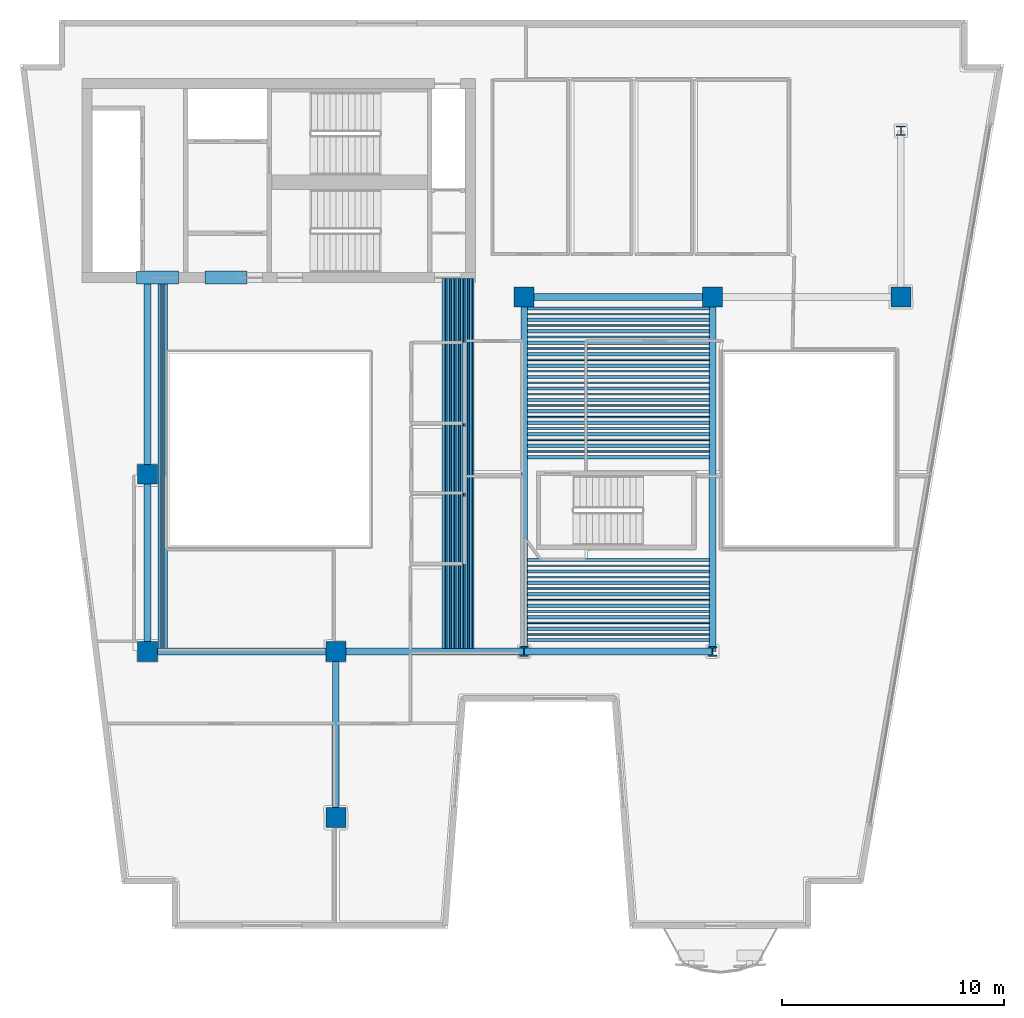
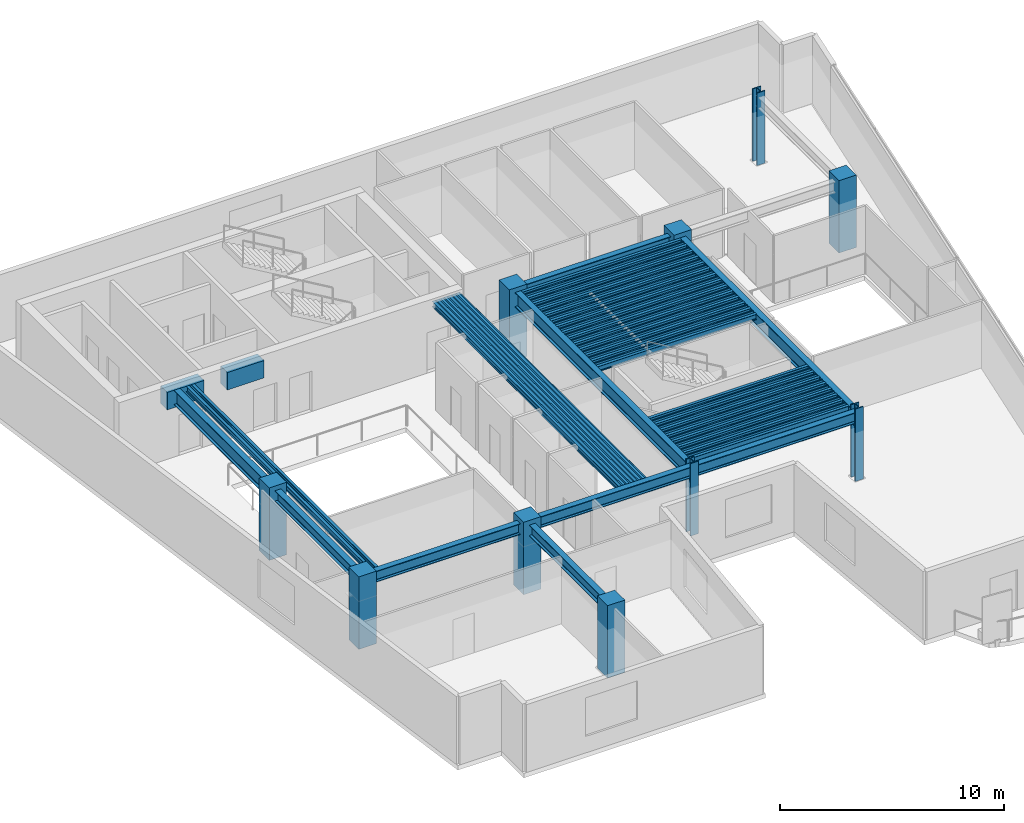
# One storey, part 1 of 10: 70 beams, 10 columns.
"""IFC4 building model written with IfcOpenShell, lengths in metres."""

from ifc_helpers import new_model, si_unit, direction, frame, origin, origin_2d, place, context, subcontext, project, spatial, rectangle, hollow_rectangle, i_section, extrude, material, material_profile, profile_set, type_object, element, save


model = new_model("IFC4")

# Units and contexts
model_context = context("Model", 3, precision=1e-05, world=origin(), true_north=direction((0.0, 1.0)))
body_context = subcontext(model_context, "Body", "Model", "MODEL_VIEW")
ifc_project = project(units=[si_unit("LENGTHUNIT", "METRE"), si_unit("AREAUNIT", "SQUARE_METRE"), si_unit("VOLUMEUNIT", "CUBIC_METRE"), si_unit("PLANEANGLEUNIT", "RADIAN"), si_unit("MASSUNIT", "GRAM", prefix="KILO")], contexts=[model_context])

# Site, building, storey
site_placement = place(None, origin())
site = spatial("IfcSite", under=ifc_project, at=site_placement, CompositionType="ELEMENT")
building_placement = place(site_placement, origin())
building = spatial("IfcBuilding", under=site, at=building_placement, Name="Caeloran Harvest Quay", CompositionType="ELEMENT")
storey_placement = place(building_placement, frame((0.0, 0.0, 187.699951171875)))
storey = spatial("IfcBuildingStorey", under=building, at=storey_placement, Name="L44", CompositionType="ELEMENT", Elevation=187.699951171875)

# Columns
ifc_material_1 = material(Name="Concrete C60/75", Category="concrete")
ifc_material_profile_1 = material_profile(ifc_material_1, rectangle(XDim=0.89990234375, YDim=0.89990234375, at=origin_2d()), Name="RC 900x900")
ifc_profile_set_1 = profile_set([ifc_material_profile_1], Name="Concrete C60/75")
column_type_1 = type_object("IfcColumnType", Name="COL-MC-4-RC_900x900", PredefinedType="COLUMN", material=ifc_profile_set_1)
for number, where, z_axis, x_axis, name in (
    (1, (8.5, 15.0, 0.0), (0.0, 0.0, 1.0), (1.0, 0.0, 0.0), "L44 Structural Column (8.5, 15.0)"),
    (2, (8.5, 23.0, 0.0), (0.0, 0.0, 1.0), (1.0, 0.0, 0.0), "L44 Structural Column (8.5, 23.0)"),
    (3, (17.0, 7.5, 0.0), (0.0, 0.0, 1.0), (1.0, 0.0, 0.0), "L44 Structural Column (17.0, 7.5)"),
    (4, (17.0, 15.0, 0.0), (0.0, 0.0, 1.0), (1.0, 0.0, 0.0), "L44 Structural Column (17.0, 15.0)"),
    (5, (25.5, 31.0, 0.0), (0.0, 0.0, 1.0), (1.0, 0.0, 0.0), "L44 Structural Column (25.5, 31.0)"),
    (6, (34.0, 31.0, 0.0), (0.0, 0.0, 1.0), (1.0, 0.0, 0.0), "L44 Structural Column (34.0, 31.0)"),
    (7, (42.5, 31.0, 0.0), (0.0, 0.0, 1.0), (1.0, 0.0, 0.0), "L44 Structural Column (42.5, 31.0)"),
):
    element("IfcColumn", number, at=place(storey_placement, frame(where, z_axis=z_axis, x_axis=x_axis)), inside=storey, type_object=column_type_1, Name=name, PredefinedType="COLUMN", context=body_context, shape_type="SweptSolid", body=[
        extrude(rectangle(XDim=0.89990234375, YDim=0.89990234375, at=origin_2d()), origin(), (0.0, 0.0, 1.0), 3.949951171875),
    ])
ifc_material_2 = material(Name="Steel HISTAR 460", Category="steel")
ifc_material_profile_2 = material_profile(ifc_material_2, i_section(OverallWidth=0.416015625, OverallDepth=0.446044921875, WebThickness=0.0390625, FlangeThickness=0.062744140625, FilletRadius=0.014892578125, at=origin_2d()), Name="HD 400x509")
ifc_profile_set_2 = profile_set([ifc_material_profile_2], Name="Steel HISTAR 460")
column_type_2 = type_object("IfcColumnType", Name="COL-SC-4-HD_400x509", PredefinedType="COLUMN", material=ifc_profile_set_2)
for number, where, z_axis, x_axis, name in (
    (8, (25.5, 15.0, 0.0), (0.0, 0.0, 1.0), (1.0, 0.0, 0.0), "L44 Structural Column (25.5, 15.0)"),
    (9, (34.0, 15.0, 0.0), (0.0, 0.0, 1.0), (1.0, 0.0, 0.0), "L44 Structural Column (34.0, 15.0)"),
    (10, (42.5, 38.5, 0.0), (0.0, 0.0, 1.0), (1.0, 0.0, 0.0), "L44 Structural Column (42.5, 38.5)"),
):
    element("IfcColumn", number, at=place(storey_placement, frame(where, z_axis=z_axis, x_axis=x_axis)), inside=storey, type_object=column_type_2, Name=name, PredefinedType="COLUMN", context=body_context, shape_type="SweptSolid", body=[
        extrude(i_section(OverallWidth=0.416015625, OverallDepth=0.446044921875, WebThickness=0.0390625, FlangeThickness=0.062744140625, FilletRadius=0.014892578125, at=origin_2d()), origin(), (0.0, 0.0, 1.0), 3.949951171875),
    ])

# Beams
ifc_material_profile_3 = material_profile(ifc_material_1, rectangle(XDim=0.60009765625, YDim=0.949951171875, at=origin_2d()), Name="RC 600x950")
ifc_profile_set_3 = profile_set([ifc_material_profile_3], Name="Concrete C60/75")
beam_type_1 = type_object("IfcBeamType", Name="BM-CB-2-RC_600x950", PredefinedType="LINTEL", material=ifc_profile_set_3)
for number, where, z_axis, x_axis, name in (
    (11, (8.0, 31.875, 3.22509765625), (1.0, 0.0, 0.0), (0.0, 1.0, 0.0), "L44 Core Coupling Beam 1"),
    (12, (11.10009765625, 31.875, 3.22509765625), (1.0, 0.0, 0.0), (0.0, 1.0, 0.0), "L44 Core Coupling Beam 2"),
):
    element("IfcBeam", number, at=place(storey_placement, frame(where, z_axis=z_axis, x_axis=x_axis)), inside=storey, type_object=beam_type_1, Name=name, PredefinedType="LINTEL", context=body_context, shape_type="SweptSolid", body=[
        extrude(rectangle(XDim=0.60009765625, YDim=0.949951171875, at=origin_2d()), origin(), (0.0, 0.0, 1.0), 1.89990234375),
    ])
ifc_material_3 = material(Name="Steel S355J2", Category="steel")
ifc_material_profile_4 = material_profile(ifc_material_3, i_section(OverallWidth=0.300048828125, OverallDepth=0.800048828125, WebThickness=0.017578125, FlangeThickness=0.032958984375, FilletRadius=0.030029296875, at=origin_2d()), Name="HE 800 B")
ifc_profile_set_4 = profile_set([ifc_material_profile_4], Name="Steel S355J2")
beam_type_2 = type_object("IfcBeamType", Name="BM-PG-1-HE_800_B", PredefinedType="BEAM", material=ifc_profile_set_4)
beam_1_placement = place(storey_placement, frame((8.5, 23.0, 3.300048828125), z_axis=(0.0, 1.0, 0.0), x_axis=(-1.0, 0.0, 0.0)))
element("IfcBeam", 13, at=beam_1_placement, inside=storey, type_object=beam_type_2, Name="L44 Core South Tie Girder X=8.5", PredefinedType="BEAM", context=body_context, shape_type="SweptSolid", body=[
    extrude(i_section(OverallWidth=0.300048828125, OverallDepth=0.800048828125, WebThickness=0.017578125, FlangeThickness=0.032958984375, FilletRadius=0.030029296875, at=origin_2d()), origin(), (0.0, 0.0, 1.0), 8.824951171875),
])
for number, where, z_axis, x_axis, name in (
    (14, (25.5, 15.0, 3.300048828125), (0.0, 1.0, 0.0), (-1.0, 0.0, 0.0), "L44 Primary North-South Girder X=25.5"),
    (15, (34.0, 15.0, 3.300048828125), (0.0, 1.0, 0.0), (-1.0, 0.0, 0.0), "L44 Primary North-South Girder X=34.0"),
):
    element("IfcBeam", number, at=place(storey_placement, frame(where, z_axis=z_axis, x_axis=x_axis)), inside=storey, type_object=beam_type_2, Name=name, PredefinedType="BEAM", context=body_context, shape_type="SweptSolid", body=[
        extrude(i_section(OverallWidth=0.300048828125, OverallDepth=0.800048828125, WebThickness=0.017578125, FlangeThickness=0.032958984375, FilletRadius=0.030029296875, at=origin_2d()), origin(), (0.0, 0.0, 1.0), 16.0),
    ])
ifc_material_profile_5 = material_profile(ifc_material_3, i_section(OverallWidth=0.300048828125, OverallDepth=0.60009765625, WebThickness=0.015380859375, FlangeThickness=0.030029296875, FilletRadius=0.027099609375, at=origin_2d()), Name="HE 600 B")
ifc_profile_set_5 = profile_set([ifc_material_profile_5], Name="Steel S355J2")
beam_type_3 = type_object("IfcBeamType", Name="BM-PG-3-HE_600_B", PredefinedType="BEAM", material=ifc_profile_set_5)
for number, where, z_axis, x_axis, name in (
    (16, (8.5, 15.0, 3.400146484375), (1.0, 0.0, 0.0), (0.0, 1.0, 0.0), "L44 Primary East-West Girder Y=15.0"),
    (17, (17.0, 15.0, 3.400146484375), (1.0, 0.0, 0.0), (0.0, 1.0, 0.0), "L44 Primary East-West Girder Y=15.0"),
    (18, (25.5, 15.0, 3.400146484375), (1.0, 0.0, 0.0), (0.0, 1.0, 0.0), "L44 Primary East-West Girder Y=15.0"),
    (19, (25.5, 31.0, 3.400146484375), (1.0, 0.0, 0.0), (0.0, 1.0, 0.0), "L44 Primary East-West Girder Y=31.0"),
):
    element("IfcBeam", number, at=place(storey_placement, frame(where, z_axis=z_axis, x_axis=x_axis)), inside=storey, type_object=beam_type_3, Name=name, PredefinedType="BEAM", context=body_context, shape_type="SweptSolid", body=[
        extrude(i_section(OverallWidth=0.300048828125, OverallDepth=0.60009765625, WebThickness=0.015380859375, FlangeThickness=0.030029296875, FilletRadius=0.027099609375, at=origin_2d()), origin(), (0.0, 0.0, 1.0), 8.5),
    ])
beam_2_placement = place(storey_placement, frame((8.5, 15.0, 3.400146484375), z_axis=(0.0, 1.0, 0.0), x_axis=(-1.0, 0.0, 0.0)))
element("IfcBeam", 20, at=beam_2_placement, inside=storey, type_object=beam_type_3, Name="L44 Primary North-South Girder X=8.5", PredefinedType="BEAM", context=body_context, shape_type="SweptSolid", body=[
    extrude(i_section(OverallWidth=0.300048828125, OverallDepth=0.60009765625, WebThickness=0.015380859375, FlangeThickness=0.030029296875, FilletRadius=0.027099609375, at=origin_2d()), origin(), (0.0, 0.0, 1.0), 8.0),
])
beam_3_placement = place(storey_placement, frame((17.0, 7.5, 3.400146484375), z_axis=(0.0, 1.0, 0.0), x_axis=(-1.0, 0.0, 0.0)))
element("IfcBeam", 21, at=beam_3_placement, inside=storey, type_object=beam_type_3, Name="L44 Primary North-South Girder X=17.0", PredefinedType="BEAM", context=body_context, shape_type="SweptSolid", body=[
    extrude(i_section(OverallWidth=0.300048828125, OverallDepth=0.60009765625, WebThickness=0.015380859375, FlangeThickness=0.030029296875, FilletRadius=0.027099609375, at=origin_2d()), origin(), (0.0, 0.0, 1.0), 7.5),
])
ifc_material_profile_6 = material_profile(ifc_material_3, i_section(OverallWidth=0.14990234375, OverallDepth=0.300048828125, WebThickness=0.007080078125, FlangeThickness=0.0107421875, FilletRadius=0.014892578125, at=origin_2d()), Name="IPE 300")
ifc_profile_set_6 = profile_set([ifc_material_profile_6], Name="Steel S355J2")
beam_type_4 = type_object("IfcBeamType", Name="BM-SB-6-IPE_300", PredefinedType="JOIST", material=ifc_profile_set_6)
for number, where, z_axis, x_axis, name in (
    (22, (9.04833984375, 15.14501953125, 3.550048828125), (0.0, 1.0, 0.0), (-1.0, 0.0, 0.0), "L44 Secondary Composite Joist"),
    (23, (9.322509765625, 15.14501953125, 3.550048828125), (0.0, 1.0, 0.0), (-1.0, 0.0, 0.0), "L44 Secondary Composite Joist"),
    (24, (21.87744140625, 15.14501953125, 3.550048828125), (0.0, 1.0, 0.0), (-1.0, 0.0, 0.0), "L44 Secondary Composite Joist"),
    (25, (22.08056640625, 15.14501953125, 3.550048828125), (0.0, 1.0, 0.0), (-1.0, 0.0, 0.0), "L44 Secondary Composite Joist"),
    (26, (22.283935546875, 15.14501953125, 3.550048828125), (0.0, 1.0, 0.0), (-1.0, 0.0, 0.0), "L44 Secondary Composite Joist"),
    (27, (22.487060546875, 15.14501953125, 3.550048828125), (0.0, 1.0, 0.0), (-1.0, 0.0, 0.0), "L44 Secondary Composite Joist"),
    (28, (22.690185546875, 15.14501953125, 3.550048828125), (0.0, 1.0, 0.0), (-1.0, 0.0, 0.0), "L44 Secondary Composite Joist"),
    (29, (22.8935546875, 15.14501953125, 3.550048828125), (0.0, 1.0, 0.0), (-1.0, 0.0, 0.0), "L44 Secondary Composite Joist"),
    (30, (23.0966796875, 15.14501953125, 3.550048828125), (0.0, 1.0, 0.0), (-1.0, 0.0, 0.0), "L44 Secondary Composite Joist"),
):
    element("IfcBeam", number, at=place(storey_placement, frame(where, z_axis=z_axis, x_axis=x_axis)), inside=storey, type_object=beam_type_4, Name=name, PredefinedType="JOIST", context=body_context, shape_type="SweptSolid", body=[
        extrude(i_section(OverallWidth=0.14990234375, OverallDepth=0.300048828125, WebThickness=0.007080078125, FlangeThickness=0.0107421875, FilletRadius=0.014892578125, at=origin_2d()), origin(), (0.0, 0.0, 1.0), 16.679931640625),
    ])
for number, where, z_axis, x_axis, name in (
    (31, (25.64501953125, 15.51611328125, 3.550048828125), (1.0, 0.0, 0.0), (0.0, 1.0, 0.0), "L44 Secondary East-West Composite Joist"),
    (32, (25.64501953125, 16.0322265625, 3.550048828125), (1.0, 0.0, 0.0), (0.0, 1.0, 0.0), "L44 Secondary East-West Composite Joist"),
    (33, (25.64501953125, 16.54833984375, 3.550048828125), (1.0, 0.0, 0.0), (0.0, 1.0, 0.0), "L44 Secondary East-West Composite Joist"),
    (34, (25.64501953125, 17.064453125, 3.550048828125), (1.0, 0.0, 0.0), (0.0, 1.0, 0.0), "L44 Secondary East-West Composite Joist"),
    (35, (25.64501953125, 17.58056640625, 3.550048828125), (1.0, 0.0, 0.0), (0.0, 1.0, 0.0), "L44 Secondary East-West Composite Joist"),
    (36, (25.64501953125, 18.0966796875, 3.550048828125), (1.0, 0.0, 0.0), (0.0, 1.0, 0.0), "L44 Secondary East-West Composite Joist"),
    (37, (25.64501953125, 18.61279296875, 3.550048828125), (1.0, 0.0, 0.0), (0.0, 1.0, 0.0), "L44 Secondary East-West Composite Joist"),
    (38, (25.64501953125, 19.12890625, 3.550048828125), (1.0, 0.0, 0.0), (0.0, 1.0, 0.0), "L44 Secondary East-West Composite Joist"),
    (39, (25.64501953125, 23.774169921875, 3.550048828125), (1.0, 0.0, 0.0), (0.0, 1.0, 0.0), "L44 Secondary East-West Composite Joist"),
    (40, (25.64501953125, 24.290283203125, 3.550048828125), (1.0, 0.0, 0.0), (0.0, 1.0, 0.0), "L44 Secondary East-West Composite Joist"),
    (41, (25.64501953125, 24.806396484375, 3.550048828125), (1.0, 0.0, 0.0), (0.0, 1.0, 0.0), "L44 Secondary East-West Composite Joist"),
    (42, (25.64501953125, 25.322509765625, 3.550048828125), (1.0, 0.0, 0.0), (0.0, 1.0, 0.0), "L44 Secondary East-West Composite Joist"),
    (43, (25.64501953125, 25.838623046875, 3.550048828125), (1.0, 0.0, 0.0), (0.0, 1.0, 0.0), "L44 Secondary East-West Composite Joist"),
    (44, (25.64501953125, 26.354736328125, 3.550048828125), (1.0, 0.0, 0.0), (0.0, 1.0, 0.0), "L44 Secondary East-West Composite Joist"),
    (45, (25.64501953125, 26.87109375, 3.550048828125), (1.0, 0.0, 0.0), (0.0, 1.0, 0.0), "L44 Secondary East-West Composite Joist"),
    (46, (25.64501953125, 27.38720703125, 3.550048828125), (1.0, 0.0, 0.0), (0.0, 1.0, 0.0), "L44 Secondary East-West Composite Joist"),
    (47, (25.64501953125, 27.9033203125, 3.550048828125), (1.0, 0.0, 0.0), (0.0, 1.0, 0.0), "L44 Secondary East-West Composite Joist"),
    (48, (25.64501953125, 28.41943359375, 3.550048828125), (1.0, 0.0, 0.0), (0.0, 1.0, 0.0), "L44 Secondary East-West Composite Joist"),
    (49, (25.64501953125, 28.935546875, 3.550048828125), (1.0, 0.0, 0.0), (0.0, 1.0, 0.0), "L44 Secondary East-West Composite Joist"),
    (50, (25.64501953125, 29.45166015625, 3.550048828125), (1.0, 0.0, 0.0), (0.0, 1.0, 0.0), "L44 Secondary East-West Composite Joist"),
    (51, (25.64501953125, 29.9677734375, 3.550048828125), (1.0, 0.0, 0.0), (0.0, 1.0, 0.0), "L44 Secondary East-West Composite Joist"),
    (52, (25.64501953125, 30.48388671875, 3.550048828125), (1.0, 0.0, 0.0), (0.0, 1.0, 0.0), "L44 Secondary East-West Composite Joist"),
):
    element("IfcBeam", number, at=place(storey_placement, frame(where, z_axis=z_axis, x_axis=x_axis)), inside=storey, type_object=beam_type_4, Name=name, PredefinedType="JOIST", context=body_context, shape_type="SweptSolid", body=[
        extrude(i_section(OverallWidth=0.14990234375, OverallDepth=0.300048828125, WebThickness=0.007080078125, FlangeThickness=0.0107421875, FilletRadius=0.014892578125, at=origin_2d()), origin(), (0.0, 0.0, 1.0), 8.2099609375),
    ])
ifc_material_profile_7 = material_profile(ifc_material_3, hollow_rectangle(XDim=0.080078125, YDim=0.199951171875, WallThickness=0.006103515625, InnerFilletRadius=0.006103515625, OuterFilletRadius=0.009033203125, at=origin_2d()), Name="RHS 200x80x6")
ifc_profile_set_7 = profile_set([ifc_material_profile_7], Name="Steel S355J2")
beam_type_5 = type_object("IfcBeamType", Name="BM-SB-7-RHS_200x80x6", PredefinedType="JOIST", material=ifc_profile_set_7)
for number, where, z_axis, x_axis, name in (
    (53, (9.185546875, 15.14501953125, 3.60009765625), (0.0, 1.0, 0.0), (-1.0, 0.0, 0.0), "L44 Secondary Composite Joist"),
    (54, (21.97900390625, 15.14501953125, 3.60009765625), (0.0, 1.0, 0.0), (-1.0, 0.0, 0.0), "L44 Secondary Composite Joist"),
    (55, (22.182373046875, 15.14501953125, 3.60009765625), (0.0, 1.0, 0.0), (-1.0, 0.0, 0.0), "L44 Secondary Composite Joist"),
    (56, (22.385498046875, 15.14501953125, 3.60009765625), (0.0, 1.0, 0.0), (-1.0, 0.0, 0.0), "L44 Secondary Composite Joist"),
    (57, (22.588623046875, 15.14501953125, 3.60009765625), (0.0, 1.0, 0.0), (-1.0, 0.0, 0.0), "L44 Secondary Composite Joist"),
    (58, (22.7919921875, 15.14501953125, 3.60009765625), (0.0, 1.0, 0.0), (-1.0, 0.0, 0.0), "L44 Secondary Composite Joist"),
    (59, (22.9951171875, 15.14501953125, 3.60009765625), (0.0, 1.0, 0.0), (-1.0, 0.0, 0.0), "L44 Secondary Composite Joist"),
    (60, (23.198486328125, 15.14501953125, 3.60009765625), (0.0, 1.0, 0.0), (-1.0, 0.0, 0.0), "L44 Secondary Composite Joist"),
):
    element("IfcBeam", number, at=place(storey_placement, frame(where, z_axis=z_axis, x_axis=x_axis)), inside=storey, type_object=beam_type_5, Name=name, PredefinedType="JOIST", context=body_context, shape_type="SweptSolid", body=[
        extrude(hollow_rectangle(XDim=0.080078125, YDim=0.199951171875, WallThickness=0.006103515625, InnerFilletRadius=0.006103515625, OuterFilletRadius=0.009033203125, at=origin_2d()), origin(), (0.0, 0.0, 1.0), 16.679931640625),
    ])
for number, where, z_axis, x_axis, name in (
    (61, (25.64501953125, 15.774169921875, 3.60009765625), (1.0, 0.0, 0.0), (0.0, 1.0, 0.0), "L44 Secondary East-West Composite Joist"),
    (62, (25.64501953125, 16.290283203125, 3.60009765625), (1.0, 0.0, 0.0), (0.0, 1.0, 0.0), "L44 Secondary East-West Composite Joist"),
    (63, (25.64501953125, 16.806396484375, 3.60009765625), (1.0, 0.0, 0.0), (0.0, 1.0, 0.0), "L44 Secondary East-West Composite Joist"),
    (64, (25.64501953125, 17.322509765625, 3.60009765625), (1.0, 0.0, 0.0), (0.0, 1.0, 0.0), "L44 Secondary East-West Composite Joist"),
    (65, (25.64501953125, 17.838623046875, 3.60009765625), (1.0, 0.0, 0.0), (0.0, 1.0, 0.0), "L44 Secondary East-West Composite Joist"),
    (66, (25.64501953125, 18.354736328125, 3.60009765625), (1.0, 0.0, 0.0), (0.0, 1.0, 0.0), "L44 Secondary East-West Composite Joist"),
    (67, (25.64501953125, 18.87109375, 3.60009765625), (1.0, 0.0, 0.0), (0.0, 1.0, 0.0), "L44 Secondary East-West Composite Joist"),
    (68, (25.64501953125, 24.0322265625, 3.60009765625), (1.0, 0.0, 0.0), (0.0, 1.0, 0.0), "L44 Secondary East-West Composite Joist"),
    (69, (25.64501953125, 24.54833984375, 3.60009765625), (1.0, 0.0, 0.0), (0.0, 1.0, 0.0), "L44 Secondary East-West Composite Joist"),
    (70, (25.64501953125, 25.064453125, 3.60009765625), (1.0, 0.0, 0.0), (0.0, 1.0, 0.0), "L44 Secondary East-West Composite Joist"),
    (71, (25.64501953125, 25.58056640625, 3.60009765625), (1.0, 0.0, 0.0), (0.0, 1.0, 0.0), "L44 Secondary East-West Composite Joist"),
    (72, (25.64501953125, 26.0966796875, 3.60009765625), (1.0, 0.0, 0.0), (0.0, 1.0, 0.0), "L44 Secondary East-West Composite Joist"),
    (73, (25.64501953125, 26.61279296875, 3.60009765625), (1.0, 0.0, 0.0), (0.0, 1.0, 0.0), "L44 Secondary East-West Composite Joist"),
    (74, (25.64501953125, 27.12890625, 3.60009765625), (1.0, 0.0, 0.0), (0.0, 1.0, 0.0), "L44 Secondary East-West Composite Joist"),
    (75, (25.64501953125, 27.645263671875, 3.60009765625), (1.0, 0.0, 0.0), (0.0, 1.0, 0.0), "L44 Secondary East-West Composite Joist"),
    (76, (25.64501953125, 28.161376953125, 3.60009765625), (1.0, 0.0, 0.0), (0.0, 1.0, 0.0), "L44 Secondary East-West Composite Joist"),
    (77, (25.64501953125, 28.677490234375, 3.60009765625), (1.0, 0.0, 0.0), (0.0, 1.0, 0.0), "L44 Secondary East-West Composite Joist"),
    (78, (25.64501953125, 29.193603515625, 3.60009765625), (1.0, 0.0, 0.0), (0.0, 1.0, 0.0), "L44 Secondary East-West Composite Joist"),
    (79, (25.64501953125, 29.709716796875, 3.60009765625), (1.0, 0.0, 0.0), (0.0, 1.0, 0.0), "L44 Secondary East-West Composite Joist"),
    (80, (25.64501953125, 30.225830078125, 3.60009765625), (1.0, 0.0, 0.0), (0.0, 1.0, 0.0), "L44 Secondary East-West Composite Joist"),
):
    element("IfcBeam", number, at=place(storey_placement, frame(where, z_axis=z_axis, x_axis=x_axis)), inside=storey, type_object=beam_type_5, Name=name, PredefinedType="JOIST", context=body_context, shape_type="SweptSolid", body=[
        extrude(hollow_rectangle(XDim=0.080078125, YDim=0.199951171875, WallThickness=0.006103515625, InnerFilletRadius=0.006103515625, OuterFilletRadius=0.009033203125, at=origin_2d()), origin(), (0.0, 0.0, 1.0), 8.2099609375),
    ])

save(model, "model.ifc")
